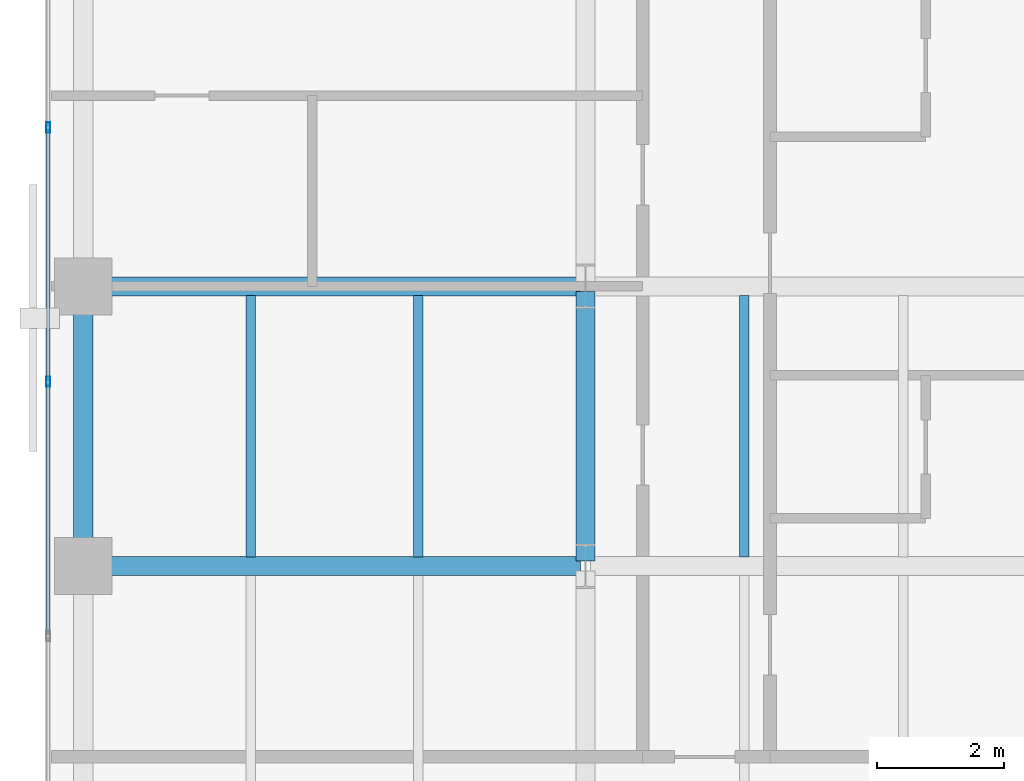
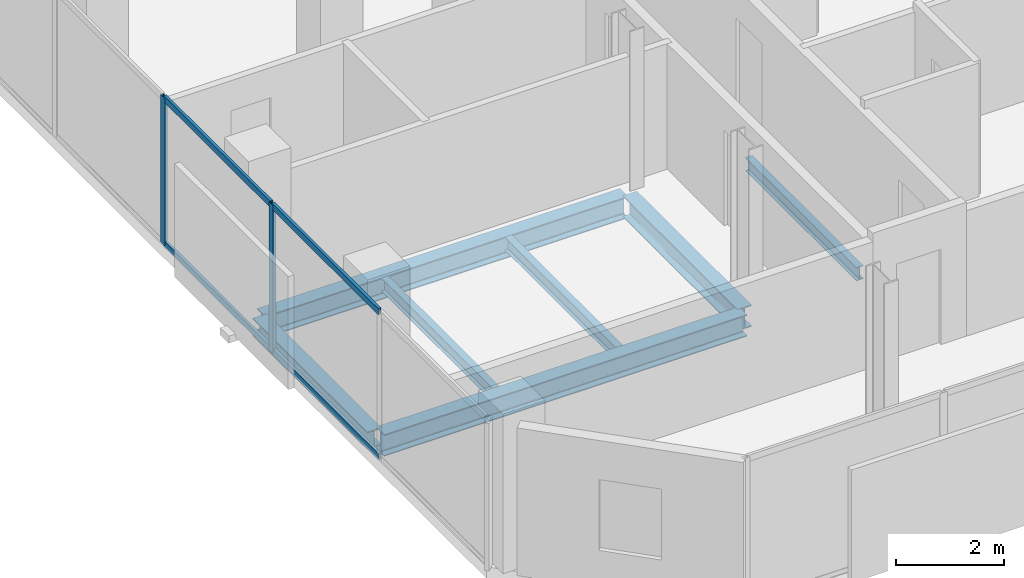
# One storey, part 5 of 34: 7 beams, 6 members, 1 element without a shape of its own.
"""IFC4 building model written with IfcOpenShell, lengths in metres."""

import ifcopenshell
import ifcopenshell.guid

model = None  # the IFC model being written
_history = None  # IfcOwnerHistory: only IFC2X3 demands one
_inside = {}  # id of a spatial element -> (the spatial element, [elements in it])
_under = {}  # id of a project, library or spatial element -> (it, [spatial elements below it])
_declared = {}  # id of a project -> (the project, [libraries it declares])
_typed = {}  # id of a type object -> (the type object, [elements of that type])
_made_of = {}  # id of a material, layer set ... -> (it, [elements and type objects made of it])


def new_model(schema):
    """Start an empty IFC model of exactly this schema.

    Asked for "IFC4X3", IfcOpenShell would pick the latest addendum, in which some entities
    have other attributes; the version numbers below select the first issue.
    IFC2X3 requires an IfcOwnerHistory on every rooted entity: one is made here for all.
    """
    global model, _history
    if schema == "IFC4X3":
        model = ifcopenshell.file(schema_version=(4, 3, 0, 0))
    else:
        model = ifcopenshell.file(schema=schema)
    _inside.clear()
    _under.clear()
    _declared.clear()
    _typed.clear()
    _made_of.clear()
    _history = None
    if model.schema == "IFC2X3":
        org = make("IfcOrganization", Name="unknown")
        user = make(
            "IfcPersonAndOrganization",
            ThePerson=make("IfcPerson", FamilyName="unknown"),
            TheOrganization=org,
        )
        app = make(
            "IfcApplication",
            ApplicationDeveloper=org,
            Version="unknown",
            ApplicationFullName="unknown",
            ApplicationIdentifier="unknown",
        )
        _history = make(
            "IfcOwnerHistory",
            OwningUser=user,
            OwningApplication=app,
            ChangeAction="ADDED",
            CreationDate=0,
        )
    return model


def make(cls, **values):
    """One entity of the class cls with the attributes given. An attribute that is None is left unset."""
    return model.create_entity(
        cls, **{name: value for name, value in values.items() if value is not None}
    )


def rooted(cls, **values):
    """An entity with a GlobalId (a new one), such as an element, a storey or a relation."""
    return make(cls, GlobalId=ifcopenshell.guid.new(), OwnerHistory=_history, **values)


def si_unit(unit_type, name, prefix=None):
    """IfcSIUnit, for example si_unit("LENGTHUNIT", "METRE", prefix="MILLI")."""
    return make("IfcSIUnit", UnitType=unit_type, Prefix=prefix, Name=name)


def assignment(units):
    """IfcUnitAssignment: the units of a project."""
    return None if units is None else make("IfcUnitAssignment", Units=units)


def point(xyz):
    """IfcCartesianPoint."""
    return None if xyz is None else make("IfcCartesianPoint", Coordinates=xyz)


def direction(xyz):
    """IfcDirection."""
    return None if xyz is None else make("IfcDirection", DirectionRatios=xyz)


def frame(location, z_axis=None, x_axis=None):
    """IfcAxis2Placement3D, a coordinate frame: its origin and axes. An axis left out is left unset."""
    return make(
        "IfcAxis2Placement3D",
        Location=point(location),
        Axis=direction(z_axis),
        RefDirection=direction(x_axis),
    )


def frame_2d(location, x_axis=None):
    """IfcAxis2Placement2D, a coordinate frame in the plane: its origin and x axis."""
    return make(
        "IfcAxis2Placement2D", Location=point(location), RefDirection=direction(x_axis)
    )


def origin():
    """The frame at (0, 0, 0) with its axes left unset."""
    return frame((0.0, 0.0, 0.0))


def origin_2d():
    """The frame at (0, 0) in the plane with its x axis left unset."""
    return frame_2d((0.0, 0.0))


def place(relative_to, where):
    """IfcLocalPlacement: puts the frame where relative to a parent placement (None: the world)."""
    return make(
        "IfcLocalPlacement", PlacementRelTo=relative_to, RelativePlacement=where
    )


def context(
    kind, dimensions, precision=None, world=None, true_north=None, identifier=None
):
    """IfcGeometricRepresentationContext, for example the 3D "Model" context."""
    return make(
        "IfcGeometricRepresentationContext",
        ContextIdentifier=identifier,
        ContextType=kind,
        CoordinateSpaceDimension=dimensions,
        Precision=precision,
        WorldCoordinateSystem=world,
        TrueNorth=true_north,
    )


def subcontext(parent, identifier, kind, view, scale=None):
    """IfcGeometricRepresentationSubContext, for example "Body" below "Model"."""
    return make(
        "IfcGeometricRepresentationSubContext",
        ContextIdentifier=identifier,
        ContextType=kind,
        ParentContext=parent,
        TargetScale=scale,
        TargetView=view,
    )


def project(units=None, contexts=None):
    """IfcProject with its units and contexts."""
    return rooted(
        "IfcProject",
        Name="project",
        RepresentationContexts=contexts,
        UnitsInContext=assignment(units),
    )


def spatial(cls, under=None, at=None, **own):
    """A site, building, storey or space (cls), placed at a placement, below another one or the project."""
    s = rooted(cls, ObjectPlacement=at, **own)
    if under is not None:
        _under.setdefault(under.id(), (under, []))[1].append(s)
    return s


def profile(cls, at=None, kind="AREA", **sizes):
    """A parametric profile (cls). Its sizes go by their IFC names, for example OverallWidth=200.0."""
    return make(cls, ProfileType=kind, Position=at, **sizes)


def hollow_rectangle(**sizes):
    """IfcRectangleHollowProfileDef."""
    return profile("IfcRectangleHollowProfileDef", **sizes)


def i_section(**sizes):
    """IfcIShapeProfileDef."""
    return profile("IfcIShapeProfileDef", **sizes)


def extrude(swept, where, along, depth):
    """IfcExtrudedAreaSolid: the profile swept, set in the frame where, extruded along a direction by depth."""
    return make(
        "IfcExtrudedAreaSolid",
        SweptArea=swept,
        Position=where,
        ExtrudedDirection=direction(along),
        Depth=depth,
    )


def shape(context_of_items, identifier, shape_type, items):
    """IfcShapeRepresentation: the items that make up one representation, for example the "Body"."""
    return make(
        "IfcShapeRepresentation",
        ContextOfItems=context_of_items,
        RepresentationIdentifier=identifier,
        RepresentationType=shape_type,
        Items=items,
    )


def material(Name=None, Category=None):
    """IfcMaterial."""
    return make("IfcMaterial", Name=Name, Category=Category)


def layer(
    of_material, thickness, ventilated=None, Name=None, Category=None, Priority=None
):
    """IfcMaterialLayer: one layer of a wall or slab, of a material (None: an air gap)."""
    return make(
        "IfcMaterialLayer",
        Material=of_material,
        LayerThickness=thickness,
        IsVentilated=ventilated,
        Name=Name,
        Category=Category,
        Priority=Priority,
    )


def layer_set(layers, Name=None):
    """IfcMaterialLayerSet."""
    return make("IfcMaterialLayerSet", MaterialLayers=layers, LayerSetName=Name)


def material_profile(
    of_material, cross_section, Name=None, Category=None, Priority=None
):
    """IfcMaterialProfile: a cross section and its material."""
    return make(
        "IfcMaterialProfile",
        Name=Name,
        Material=of_material,
        Profile=cross_section,
        Priority=Priority,
        Category=Category,
    )


def profile_set(profiles, Name=None, composite=None):
    """IfcMaterialProfileSet."""
    return make(
        "IfcMaterialProfileSet",
        Name=Name,
        MaterialProfiles=profiles,
        CompositeProfile=composite,
    )


def made_of(thing, what):
    """Note that an element or type object is made of a material, layer set ...; save() writes the relation."""
    if what is not None:
        _made_of.setdefault(what.id(), (what, []))[1].append(thing)
    return thing


def type_object(cls, material=None, **own):
    """A type object (cls), such as IfcWallType, which elements share."""
    return made_of(rooted(cls, **own), material)


def element(
    cls,
    number,
    at=None,
    inside=None,
    cuts=None,
    type_object=None,
    material=None,
    context=None,
    identifier="Body",
    shape_type=None,
    held_by="IfcProductDefinitionShape",
    body=None,
    shapes=None,
    **own,
):
    """One element of the class cls, such as IfcWall. Its Tag is "e" and its number.

    at: its placement. inside: the storey or other place that contains it. cuts: it is an
    opening in that element (IfcRelVoidsElement). A single representation is given by context,
    identifier, shape_type and body (its items); several are given by shapes. held_by: the class
    of the entity that holds the representations. save() writes the other relations.
    """
    e = rooted(cls, Tag="e%d" % number, ObjectPlacement=at, **own)
    if body is not None:
        shapes = [shape(context, identifier, shape_type, body)]
    if shapes is not None:
        e.Representation = make(held_by, Representations=shapes)
    if inside is not None:
        _inside.setdefault(inside.id(), (inside, []))[1].append(e)
    if cuts is not None:
        rooted(
            "IfcRelVoidsElement", RelatingBuildingElement=cuts, RelatedOpeningElement=e
        )
    if type_object is not None:
        _typed.setdefault(type_object.id(), (type_object, []))[1].append(e)
    return made_of(e, material)


def aggregate(whole, parts):
    """IfcRelAggregates: a whole, such as a stair, and the parts it consists of."""
    return rooted("IfcRelAggregates", RelatingObject=whole, RelatedObjects=parts)


def save(model, path):
    """Write the relations noted so far, then the file.

    IfcRelAggregates (storeys below a building ...), IfcRelContainedInSpatialStructure (elements
    in a storey), IfcRelDefinesByType, IfcRelAssociatesMaterial and IfcRelDeclares: one each for
    every whole, place, type object, material and project.
    """
    for whole, parts in _under.values():
        aggregate(whole, parts)
    for where, things in _inside.values():
        rooted(
            "IfcRelContainedInSpatialStructure",
            RelatedElements=things,
            RelatingStructure=where,
        )
    for kind, things in _typed.values():
        rooted("IfcRelDefinesByType", RelatedObjects=things, RelatingType=kind)
    for what, things in _made_of.values():
        rooted("IfcRelAssociatesMaterial", RelatedObjects=things, RelatingMaterial=what)
    for by, libraries in _declared.values():
        rooted("IfcRelDeclares", RelatingContext=by, RelatedDefinitions=libraries)
    model.write(path)


model = new_model("IFC4")

# Units and contexts
model_context = context("Model", 3, precision=1e-05, world=origin(), true_north=direction((0.0, 1.0)))
body_context = subcontext(model_context, "Body", "Model", "MODEL_VIEW")
ifc_project = project(units=[si_unit("LENGTHUNIT", "METRE"), si_unit("AREAUNIT", "SQUARE_METRE"), si_unit("VOLUMEUNIT", "CUBIC_METRE"), si_unit("PLANEANGLEUNIT", "RADIAN"), si_unit("MASSUNIT", "GRAM", prefix="KILO")], contexts=[model_context])

# Site, building, storey
site_placement = place(None, origin())
site = spatial("IfcSite", under=ifc_project, at=site_placement, CompositionType="ELEMENT")
building_placement = place(site_placement, origin())
building = spatial("IfcBuilding", under=site, at=building_placement, Name="Catumbela Crestline Tower", CompositionType="ELEMENT")
storey_placement = place(building_placement, frame((0.0, 0.0, 97.2)))
storey = spatial("IfcBuildingStorey", under=building, at=storey_placement, Name="L24", CompositionType="ELEMENT", Elevation=97.2)

# Beams
ifc_material_1 = material(Name="Structural steel S355J2", Category="steel")
ifc_material_profile_1 = material_profile(ifc_material_1, i_section(OverallWidth=0.3, OverallDepth=0.49, WebThickness=0.012, FlangeThickness=0.023, FilletRadius=0.027, at=origin_2d()), Name="HEA 500")
ifc_profile_set_1 = profile_set([ifc_material_profile_1], Name="Structural steel S355J2")
beam_type_1 = type_object("IfcBeamType", Name="BG-HEA500", PredefinedType="BEAM", material=ifc_profile_set_1)
for number, where, z_axis, x_axis, name in (
    (1, (0.68, 13.6, -0.505), (1.0, 0.0, 0.0), (0.0, 1.0, 0.0), "L24 Beam BM-L24-WEW46"),
    (2, (0.68, 18.0, -0.505), (1.0, 0.0, 0.0), (0.0, 1.0, 0.0), "L24 Beam BM-L24-WEW49"),
):
    element("IfcBeam", number, at=place(storey_placement, frame(where, z_axis=z_axis, x_axis=x_axis)), inside=storey, type_object=beam_type_1, Name=name, PredefinedType="BEAM", context=body_context, shape_type="SweptSolid", body=[
        extrude(i_section(OverallWidth=0.3, OverallDepth=0.49, WebThickness=0.012, FlangeThickness=0.023, FilletRadius=0.027, at=origin_2d()), origin(), (0.0, 0.0, 1.0), 7.74),
    ])
beam_1_placement = place(storey_placement, frame((8.5, 13.68, -0.505), z_axis=(0.0, 1.0, 0.0), x_axis=(-1.0, 0.0, 0.0)))
element("IfcBeam", 3, at=beam_1_placement, inside=storey, type_object=beam_type_1, Name="L24 Beam BM-L24-WNS56", PredefinedType="BEAM", context=body_context, shape_type="SweptSolid", body=[
    extrude(i_section(OverallWidth=0.3, OverallDepth=0.49, WebThickness=0.012, FlangeThickness=0.023, FilletRadius=0.027, at=origin_2d()), origin(), (0.0, 0.0, 1.0), 4.24),
])
ifc_material_profile_2 = material_profile(ifc_material_1, i_section(OverallWidth=0.15, OverallDepth=0.3, WebThickness=0.0071, FlangeThickness=0.0107, FilletRadius=0.015, at=origin_2d()), Name="IPE 300")
ifc_profile_set_2 = profile_set([ifc_material_profile_2], Name="Structural steel S355J2")
beam_type_2 = type_object("IfcBeamType", Name="BJ-IPE300", PredefinedType="JOIST", material=ifc_profile_set_2)
for number, where, z_axis, x_axis, name in (
    (4, (3.233, 13.747, -0.41), (0.0, 1.0, 0.0), (-1.0, 0.0, 0.0), "L24 Joist JS-L24-WG69"),
    (5, (5.867, 13.747, -0.41), (0.0, 1.0, 0.0), (-1.0, 0.0, 0.0), "L24 Joist JS-L24-WG70"),
    (6, (11.0, 13.747, -0.41), (0.0, 1.0, 0.0), (-1.0, 0.0, 0.0), "L24 Joist JS-L24-WG71"),
):
    element("IfcBeam", number, at=place(storey_placement, frame(where, z_axis=z_axis, x_axis=x_axis)), inside=storey, type_object=beam_type_2, Name=name, PredefinedType="JOIST", context=body_context, shape_type="SweptSolid", body=[
        extrude(i_section(OverallWidth=0.15, OverallDepth=0.3, WebThickness=0.0071, FlangeThickness=0.0107, FilletRadius=0.015, at=origin_2d()), origin(), (0.0, 0.0, 1.0), 4.106),
    ])

# Curtain wall, members
ifc_material_2 = material(Name="Aluminium alloy AW-6060-T66", Category="aluminium")
ifc_layer = layer(ifc_material_2, 0.18, Name="Aluminium alloy AW-6060-T66")
ifc_layer_set = layer_set([ifc_layer], Name="Aluminium alloy AW-6060-T66")
curtain_wall_type = type_object("IfcCurtainWallType", Name="CWU-Z2", PredefinedType="USERDEFINED", material=ifc_layer_set)
curtain_wall_placement = place(storey_placement, origin())
curtain_wall = element("IfcCurtainWall", 7, at=curtain_wall_placement, inside=storey, type_object=curtain_wall_type, Name="L24 Unitised Curtain Wall CW-L24-E9S1", ObjectType="UNITISED", PredefinedType="USERDEFINED")
ifc_material_profile_3 = material_profile(ifc_material_2, hollow_rectangle(XDim=0.06, YDim=0.16, WallThickness=0.004, at=origin_2d()), Name="ALU 160x60x4")
ifc_profile_set_3 = profile_set([ifc_material_profile_3], Name="Aluminium alloy AW-6060-T66")
member_type_1 = type_object("IfcMemberType", Name="MUL-160X60", PredefinedType="MULLION", material=ifc_profile_set_3)
member_1_placement = place(storey_placement, frame((0.05, 20.5, 0.0), z_axis=(0.0, 0.0, 1.0), x_axis=(1.0, 0.0, 0.0)))
member_1 = element("IfcMember", 8, at=member_1_placement, type_object=member_type_1, Name="CWU-Z2 mullion 7", PredefinedType="MULLION", context=body_context, shape_type="SweptSolid", body=[
    extrude(hollow_rectangle(XDim=0.06, YDim=0.16, WallThickness=0.004, at=origin_2d()), origin(), (0.0, 0.0, 1.0), 3.33),
])
member_2_placement = place(storey_placement, frame((0.05, 16.5, 0.0), z_axis=(0.0, 0.0, 1.0), x_axis=(1.0, 0.0, 0.0)))
member_2 = element("IfcMember", 9, at=member_2_placement, type_object=member_type_1, Name="CWU-Z2 mullion 8", PredefinedType="MULLION", context=body_context, shape_type="SweptSolid", body=[
    extrude(hollow_rectangle(XDim=0.06, YDim=0.16, WallThickness=0.004, at=origin_2d()), origin(), (0.0, 0.0, 1.0), 3.33),
])

# Beam
ifc_material_profile_4 = material_profile(ifc_material_1, i_section(OverallWidth=0.3, OverallDepth=0.4, WebThickness=0.0135, FlangeThickness=0.024, FilletRadius=0.027, at=origin_2d()), Name="HEB 400")
ifc_profile_set_4 = profile_set([ifc_material_profile_4], Name="Structural steel S355J2")
beam_type_3 = type_object("IfcBeamType", Name="BS-HEB400", PredefinedType="SPANDREL", material=ifc_profile_set_4)
beam_2_placement = place(storey_placement, frame((0.6, 13.68, -0.46), z_axis=(0.0, 1.0, 0.0), x_axis=(-1.0, 0.0, 0.0)))
element("IfcBeam", 10, at=beam_2_placement, inside=storey, type_object=beam_type_3, Name="L24 Spandrel SP-L24-WNS53", PredefinedType="SPANDREL", context=body_context, shape_type="SweptSolid", body=[
    extrude(i_section(OverallWidth=0.3, OverallDepth=0.4, WebThickness=0.0135, FlangeThickness=0.024, FilletRadius=0.027, at=origin_2d()), origin(), (0.0, 0.0, 1.0), 4.24),
])

# Member
ifc_material_profile_5 = material_profile(ifc_material_2, hollow_rectangle(XDim=0.06, YDim=0.14, WallThickness=0.004, at=origin_2d()), Name="ALU 140x60x4")
ifc_profile_set_5 = profile_set([ifc_material_profile_5], Name="Aluminium alloy AW-6060-T66")
member_type_2 = type_object("IfcMemberType", Name="TRN-140X60", PredefinedType="USERDEFINED", material=ifc_profile_set_5)
member_3_placement = place(storey_placement, frame((0.05, 20.4675, 0.03), z_axis=(0.0, -1.0, 0.0), x_axis=(1.0, 0.0, 0.0)))
member_3 = element("IfcMember", 11, at=member_3_placement, type_object=member_type_2, Name="CWU-Z2 transom 7.1", ObjectType="TRANSOM", PredefinedType="USERDEFINED", context=body_context, shape_type="SweptSolid", body=[
    extrude(hollow_rectangle(XDim=0.06, YDim=0.14, WallThickness=0.004, at=origin_2d()), origin(), (0.0, 0.0, 1.0), 3.935),
])

member_4_placement = place(storey_placement, frame((0.05, 20.4675, 3.3), z_axis=(0.0, -1.0, 0.0), x_axis=(1.0, 0.0, 0.0)))
member_4 = element("IfcMember", 12, at=member_4_placement, type_object=member_type_2, Name="CWU-Z2 transom 7.2", ObjectType="TRANSOM", PredefinedType="USERDEFINED", context=body_context, shape_type="SweptSolid", body=[
    extrude(hollow_rectangle(XDim=0.06, YDim=0.14, WallThickness=0.004, at=origin_2d()), origin(), (0.0, 0.0, 1.0), 3.935),
])

member_5_placement = place(storey_placement, frame((0.05, 16.4675, 0.03), z_axis=(0.0, -1.0, 0.0), x_axis=(1.0, 0.0, 0.0)))
member_5 = element("IfcMember", 13, at=member_5_placement, type_object=member_type_2, Name="CWU-Z2 transom 8.1", ObjectType="TRANSOM", PredefinedType="USERDEFINED", context=body_context, shape_type="SweptSolid", body=[
    extrude(hollow_rectangle(XDim=0.06, YDim=0.14, WallThickness=0.004, at=origin_2d()), origin(), (0.0, 0.0, 1.0), 3.935),
])

member_6_placement = place(storey_placement, frame((0.05, 16.4675, 3.3), z_axis=(0.0, -1.0, 0.0), x_axis=(1.0, 0.0, 0.0)))
member_6 = element("IfcMember", 14, at=member_6_placement, type_object=member_type_2, Name="CWU-Z2 transom 8.2", ObjectType="TRANSOM", PredefinedType="USERDEFINED", context=body_context, shape_type="SweptSolid", body=[
    extrude(hollow_rectangle(XDim=0.06, YDim=0.14, WallThickness=0.004, at=origin_2d()), origin(), (0.0, 0.0, 1.0), 3.935),
])

aggregate(curtain_wall, [member_1, member_2, member_3, member_4, member_5, member_6])

save(model, "model.ifc")
